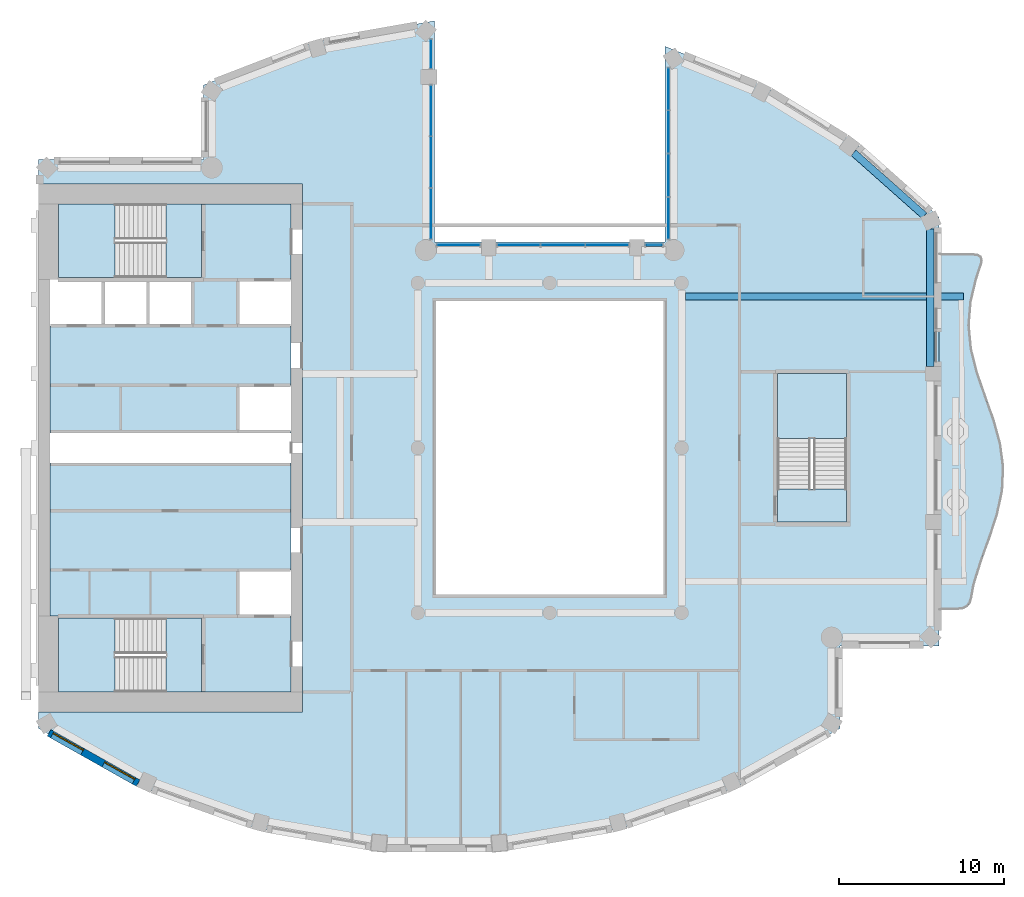
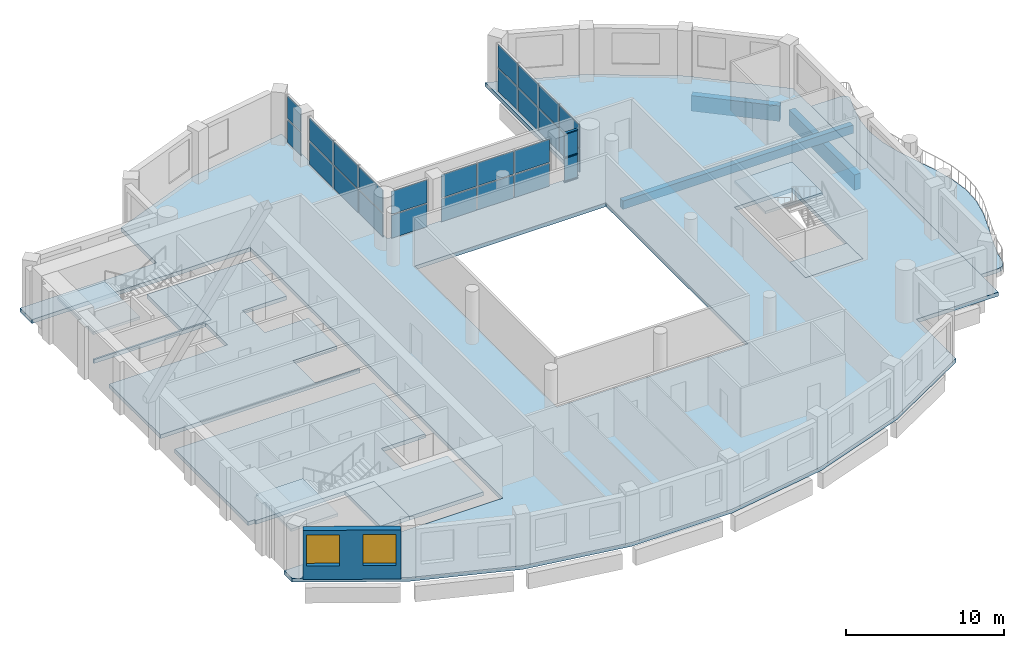
# One storey, part 3 of 15: 26 plates, 10 slabs, 3 beams, 3 members, 2 windows, 1 wall, 2 openings, 9 elements without a shape of their own.
"""IFC4 building model written with IfcOpenShell, lengths in metres."""

from ifc_helpers import new_model, si_unit, direction, frame, frame_2d, origin, origin_2d, place, context, subcontext, project, spatial, polyline, rectangle, outline, extrude, material, layer, layer_set, material_profile, profile_set, type_object, element, fill, aggregate, save


model = new_model("IFC4")

# Units and contexts
model_context = context("Model", 3, precision=1e-05, world=origin(), true_north=direction((0.0, 1.0)))
body_context = subcontext(model_context, "Body", "Model", "MODEL_VIEW")
ifc_project = project(units=[si_unit("LENGTHUNIT", "METRE"), si_unit("AREAUNIT", "SQUARE_METRE"), si_unit("VOLUMEUNIT", "CUBIC_METRE"), si_unit("PLANEANGLEUNIT", "RADIAN"), si_unit("MASSUNIT", "GRAM", prefix="KILO")], contexts=[model_context])

# Site, building, storey
site_placement = place(None, origin())
site = spatial("IfcSite", under=ifc_project, at=site_placement, CompositionType="ELEMENT")
building_placement = place(site_placement, origin())
building = spatial("IfcBuilding", under=site, at=building_placement, Name="Cypress Arch Tower", CompositionType="ELEMENT")
storey_placement = place(building_placement, frame((0.0, 0.0, 259.800048828125)))
storey = spatial("IfcBuildingStorey", under=building, at=storey_placement, Name="L58", CompositionType="ELEMENT", Elevation=259.800048828125)

# Beams
ifc_material_1 = material(Name="Concrete C50/60", Category="concrete")
ifc_material_profile_1 = material_profile(ifc_material_1, rectangle(XDim=0.39990234375, YDim=0.64990234375, at=origin_2d()), Name="RC 400x650")
ifc_profile_set_1 = profile_set([ifc_material_profile_1], Name="Concrete C50/60")
beam_type_1 = type_object("IfcBeamType", Name="Cantilever beam RC 400x650 Concrete C50/60", PredefinedType="BEAM", material=ifc_profile_set_1)
beam_1_placement = place(storey_placement, frame((9.22509765625, 9.1826171875, -0.625), z_axis=(1.0, 0.0, 0.0), x_axis=(0.0, 1.0, 0.0)))
element("IfcBeam", 1, at=beam_1_placement, inside=storey, type_object=beam_type_1, Name="Cantilever beam L58 C17 2", PredefinedType="BEAM", context=body_context, shape_type="SweptSolid", body=[
    extrude(rectangle(XDim=0.39990234375, YDim=0.64990234375, at=origin_2d()), origin(), (0.0, 0.0, 1.0), 16.86767578125),
])
ifc_material_2 = material(Name="Concrete C50/60", Category="concrete")
ifc_material_profile_2 = material_profile(ifc_material_2, rectangle(XDim=0.449951171875, YDim=1.199951171875, at=origin_2d()), Name="RC 450x1200")
ifc_profile_set_2 = profile_set([ifc_material_profile_2], Name="Concrete C50/60")
beam_type_2 = type_object("IfcBeamType", Name="Spandrel beam RC 450x1200 Concrete C50/60", PredefinedType="SPANDREL", material=ifc_profile_set_2)
beam_2_placement = place(storey_placement, frame((24.074951171875, 4.949951171875, -1.550048828125), z_axis=(0.0, 1.0, 0.0), x_axis=(-1.0, 0.0, 0.0)))
element("IfcBeam", 2, at=beam_2_placement, inside=storey, type_object=beam_type_2, Name="Spandrel beam L58 BC17-2", PredefinedType="SPANDREL", context=body_context, shape_type="SweptSolid", body=[
    extrude(rectangle(XDim=0.449951171875, YDim=1.199951171875, at=origin_2d()), origin(), (0.0, 0.0, 1.0), 8.32080078125),
])
beam_3_placement = place(storey_placement, frame((23.706298828125, 14.091796875, -1.550048828125), z_axis=(-0.747555073917, 0.664199827959, 0.0), x_axis=(-0.664199827959, -0.747555073917, 0.0)))
element("IfcBeam", 3, at=beam_3_placement, inside=storey, type_object=beam_type_2, Name="Spandrel beam L58 BC18-0", PredefinedType="SPANDREL", context=body_context, shape_type="SweptSolid", body=[
    extrude(rectangle(XDim=0.449951171875, YDim=1.199951171875, at=origin_2d()), origin(), (0.0, 0.0, 1.0), 5.72900390625),
])

# Curtain wall, members
ifc_material_3 = material(Name="Anodised aluminium, bronze finish, clear laminated double glazing", Category="aluminium")
curtain_wall_type = type_object("IfcCurtainWallType", Name="Curtain wall CW7 slot glazing", PredefinedType="NOTDEFINED", material=ifc_material_3)
curtain_wall_1_placement = place(storey_placement, origin())
curtain_wall_1 = element("IfcCurtainWall", 4, at=curtain_wall_1_placement, inside=storey, type_object=curtain_wall_type, Name="Curtain wall L58 slot C01.0", PredefinedType="NOTDEFINED")
ifc_material_4 = material(Name="Anodised aluminium, bronze finish", Category="aluminium")
ifc_material_profile_3 = material_profile(ifc_material_4, rectangle(XDim=0.179931640625, YDim=0.0849609375, at=origin_2d()), Name="Transom 85x180")
ifc_profile_set_3 = profile_set([ifc_material_profile_3], Name="Anodised aluminium, bronze finish")
member_type = type_object("IfcMemberType", Name="Transom CW7 85x180", PredefinedType="USERDEFINED", material=ifc_profile_set_3)
member_1_placement = place(storey_placement, frame((7.8134765625, 12.300048828125, 0.04248046875), z_axis=(-1.0, 0.0, 0.0), x_axis=(0.0, -1.0, 0.0)))
member_1 = element("IfcMember", 5, at=member_1_placement, type_object=member_type, Name="CW7 transom 1.1", ObjectType="TRANSOM", PredefinedType="USERDEFINED", context=body_context, shape_type="SweptSolid", body=[
    extrude(rectangle(XDim=0.179931640625, YDim=0.0849609375, at=origin_2d()), origin(), (0.0, 0.0, 1.0), 0.978515625),
])
member_2_placement = place(storey_placement, frame((7.8134765625, 12.300048828125, 1.89990234375), z_axis=(-1.0, 0.0, 0.0), x_axis=(0.0, -1.0, 0.0)))
member_2 = element("IfcMember", 6, at=member_2_placement, type_object=member_type, Name="CW7 transom 1.2", ObjectType="TRANSOM", PredefinedType="USERDEFINED", context=body_context, shape_type="SweptSolid", body=[
    extrude(rectangle(XDim=0.179931640625, YDim=0.0849609375, at=origin_2d()), origin(), (0.0, 0.0, 1.0), 0.978515625),
])
member_3_placement = place(storey_placement, frame((7.8134765625, 12.300048828125, 3.757568359375), z_axis=(-1.0, 0.0, 0.0), x_axis=(0.0, -1.0, 0.0)))
member_3 = element("IfcMember", 7, at=member_3_placement, type_object=member_type, Name="CW7 transom 1.3", ObjectType="TRANSOM", PredefinedType="USERDEFINED", context=body_context, shape_type="SweptSolid", body=[
    extrude(rectangle(XDim=0.179931640625, YDim=0.0849609375, at=origin_2d()), origin(), (0.0, 0.0, 1.0), 0.978515625),
])

# Slabs
ifc_material_5 = material(Name="Concrete C40/50", Category="concrete")
ifc_layer_1 = layer(ifc_material_5, 0.300048828125)
ifc_layer_set_1 = layer_set([ifc_layer_1], Name="Balcony slab BS300")
slab_type_1 = type_object("IfcSlabType", Name="Balcony slab BS300", PredefinedType="USERDEFINED", material=ifc_layer_set_1)
slab_1_placement = place(storey_placement, frame((0.0, 0.0, -0.300048828125)))
element("IfcSlab", 8, at=slab_1_placement, inside=storey, type_object=slab_type_1, Name="Balcony slab L58-C17", ObjectType="BALCONY SLAB", PredefinedType="USERDEFINED", context=body_context, shape_type="SweptSolid", body=[
    extrude(outline(polyline([(24.60009765625, -9.75), (25.78076171875, -9.75), (26.074462890625, -9.709716796875), (26.300537109375, -9.5888671875), (26.459228515625, -9.38720703125), (26.55029296875, -9.10498046875), (26.6904296875, -8.316650390625), (27.13134765625, -6.88330078125), (27.650390625, -5.449951171875), (28.1201171875, -4.0166015625), (28.42578125, -2.583251953125), (28.4921875, -1.14990234375), (28.302978515625, 0.283447265625), (27.90478515625, 1.716552734375), (27.39501953125, 3.14990234375), (26.898681640625, 4.583251953125), (26.53759765625, 6.0166015625), (26.400146484375, 7.449951171875), (26.52001953125, 8.88330078125), (26.867919921875, 10.316650390625), (27.1376953125, 11.10498046875), (27.191650390625, 11.38720703125), (27.1328125, 11.5888671875), (26.961181640625, 11.709716796875), (26.6767578125, 11.75), (24.60009765625, 11.75), (24.60009765625, -9.75)])), origin(), (0.0, 0.0, 1.0), 0.300048828125),
])
ifc_material_6 = material(Name="Concrete C40/50", Category="concrete")
ifc_layer_2 = layer(ifc_material_6, 0.300048828125)
ifc_layer_set_2 = layer_set([ifc_layer_2], Name="Core floor CF300")
slab_type_2 = type_object("IfcSlabType", Name="Core floor CF300", PredefinedType="FLOOR", material=ifc_layer_set_2)
slab_2_placement = place(storey_placement, frame((0.0, 0.0, -0.300048828125)))
element("IfcSlab", 9, at=slab_2_placement, inside=storey, type_object=slab_type_2, Name="Core floor", PredefinedType="FLOOR", context=body_context, shape_type="SweptSolid", body=[
    extrude(outline(polyline([(-28.89990234375, -10.199951171875), (-29.300048828125, -10.199951171875), (-29.300048828125, -0.89990234375), (-28.89990234375, -0.89990234375), (-15.10009765625, -0.89990234375), (-14.699951171875, -0.89990234375), (-14.699951171875, -7.39990234375), (-15.10009765625, -7.39990234375), (-17.919921875, -7.39990234375), (-17.919921875, -10.199951171875), (-15.10009765625, -10.199951171875), (-14.699951171875, -10.199951171875), (-14.699951171875, -14.800048828125), (-15.10009765625, -14.800048828125), (-20.125, -14.800048828125), (-20.125, -10.324951171875), (-22.27490234375, -10.324951171875), (-28.800048828125, -10.324951171875), (-28.800048828125, -10.199951171875), (-28.89990234375, -10.199951171875)])), origin(), (0.0, 0.0, 1.0), 0.300048828125),
])
slab_3_placement = place(storey_placement, frame((0.0, 0.0, -0.300048828125)))
element("IfcSlab", 10, at=slab_3_placement, inside=storey, type_object=slab_type_2, Name="Core floor", PredefinedType="FLOOR", context=body_context, shape_type="SweptSolid", body=[
    extrude(outline(polyline([(-22.27490234375, -10.324951171875), (-22.27490234375, -14.800048828125), (-20.125, -14.800048828125), (-20.125, -10.324951171875), (-22.27490234375, -10.324951171875)])), origin(), (0.0, 0.0, 1.0), 0.300048828125),
])
slab_4_placement = place(storey_placement, frame((0.0, 0.0, -0.300048828125)))
element("IfcSlab", 11, at=slab_4_placement, inside=storey, type_object=slab_type_2, Name="Core floor", PredefinedType="FLOOR", context=body_context, shape_type="SweptSolid", body=[
    extrude(outline(polyline([(-20.125, 14.800048828125), (-22.27490234375, 14.800048828125), (-22.27490234375, 10.324951171875), (-20.125, 10.324951171875), (-20.125, 14.800048828125)])), origin(), (0.0, 0.0, 1.0), 0.300048828125),
])
slab_5_placement = place(storey_placement, frame((0.0, 0.0, -0.300048828125)))
element("IfcSlab", 12, at=slab_5_placement, inside=storey, type_object=slab_type_2, Name="Stair floor landing", PredefinedType="FLOOR", context=body_context, shape_type="SweptSolid", body=[
    extrude(outline(polyline([(19.0, -4.5), (19.0, -2.5), (14.800048828125, -2.5), (14.800048828125, -4.5), (19.0, -4.5)])), origin(), (0.0, 0.0, 1.0), 0.300048828125),
])
slab_6_placement = place(storey_placement, frame((0.0, 0.0, -0.300048828125)))
element("IfcSlab", 13, at=slab_6_placement, inside=storey, type_object=slab_type_2, Name="Core floor", PredefinedType="FLOOR", context=body_context, shape_type="SweptSolid", body=[
    extrude(outline(polyline([(-20.639892578125, 10.199951171875), (-23.360107421875, 10.199951171875), (-26.080078125, 10.199951171875), (-28.800048828125, 10.199951171875), (-28.800048828125, 10.324951171875), (-22.27490234375, 10.324951171875), (-20.125, 10.324951171875), (-20.125, 14.800048828125), (-15.10009765625, 14.800048828125), (-14.699951171875, 14.800048828125), (-14.699951171875, 10.199951171875), (-15.10009765625, 10.199951171875), (-17.919921875, 10.199951171875), (-17.919921875, 7.39990234375), (-15.10009765625, 7.39990234375), (-14.699951171875, 7.39990234375), (-14.699951171875, 3.800048828125), (-15.10009765625, 3.800048828125), (-17.919921875, 3.800048828125), (-17.919921875, 1.5), (-17.919921875, 1.0), (-17.5, 1.0), (-15.10009765625, 1.0), (-14.699951171875, 1.0), (-14.699951171875, 0.89990234375), (-15.10009765625, 0.89990234375), (-17.5, 0.89990234375), (-18.300048828125, 0.89990234375), (-28.89990234375, 0.89990234375), (-29.300048828125, 0.89990234375), (-29.300048828125, 1.5), (-29.300048828125, 7.39990234375), (-28.89990234375, 7.39990234375), (-26.080078125, 7.39990234375), (-23.360107421875, 7.39990234375), (-20.639892578125, 7.39990234375), (-20.639892578125, 10.199951171875)])), origin(), (0.0, 0.0, 1.0), 0.300048828125),
])

# Curtain wall, plates
curtain_wall_2_placement = place(storey_placement, origin())
curtain_wall_2 = element("IfcCurtainWall", 14, at=curtain_wall_2_placement, inside=storey, type_object=curtain_wall_type, Name="Curtain wall L58 slot C00.0", PredefinedType="NOTDEFINED")
ifc_material_7 = material(Name="Clear laminated double glazing", Category="glass")
ifc_layer_3 = layer(ifc_material_7, 0.0439453125)
ifc_layer_set_3 = layer_set([ifc_layer_3], Name="Glass panel CW7 44")
plate_type = type_object("IfcPlateType", Name="Glass panel CW7 44", PredefinedType="CURTAIN_PANEL", material=ifc_layer_set_3)
plate_1_placement = place(storey_placement, frame((8.199951171875, 21.768798828125, 0.0849609375), z_axis=(0.0, 0.0, 1.0), x_axis=(0.0, -1.0, 0.0)))
plate_1 = element("IfcPlate", 15, at=plate_1_placement, type_object=plate_type, Name="CW7 panel 1.1", PredefinedType="CURTAIN_PANEL", context=body_context, shape_type="SweptSolid", body=[
    extrude(rectangle(XDim=2.497802734375, YDim=0.0439453125, at=origin_2d()), origin(), (0.0, 0.0, 1.0), 1.7724609375),
])
plate_2_placement = place(storey_placement, frame((8.199951171875, 21.768798828125, 1.9423828125), z_axis=(0.0, 0.0, 1.0), x_axis=(0.0, -1.0, 0.0)))
plate_2 = element("IfcPlate", 16, at=plate_2_placement, type_object=plate_type, Name="CW7 panel 1.2", PredefinedType="CURTAIN_PANEL", context=body_context, shape_type="SweptSolid", body=[
    extrude(rectangle(XDim=2.497802734375, YDim=0.0439453125, at=origin_2d()), origin(), (0.0, 0.0, 1.0), 1.7724609375),
])
plate_3_placement = place(storey_placement, frame((8.199951171875, 19.164794921875, 0.0849609375), z_axis=(0.0, 0.0, 1.0), x_axis=(0.0, -1.0, 0.0)))
plate_3 = element("IfcPlate", 17, at=plate_3_placement, type_object=plate_type, Name="CW7 panel 2.1", PredefinedType="CURTAIN_PANEL", context=body_context, shape_type="SweptSolid", body=[
    extrude(rectangle(XDim=2.540283203125, YDim=0.0439453125, at=origin_2d()), origin(), (0.0, 0.0, 1.0), 1.7724609375),
])
plate_4_placement = place(storey_placement, frame((8.199951171875, 19.164794921875, 1.9423828125), z_axis=(0.0, 0.0, 1.0), x_axis=(0.0, -1.0, 0.0)))
plate_4 = element("IfcPlate", 18, at=plate_4_placement, type_object=plate_type, Name="CW7 panel 2.2", PredefinedType="CURTAIN_PANEL", context=body_context, shape_type="SweptSolid", body=[
    extrude(rectangle(XDim=2.540283203125, YDim=0.0439453125, at=origin_2d()), origin(), (0.0, 0.0, 1.0), 1.7724609375),
])
plate_5_placement = place(storey_placement, frame((8.199951171875, 16.53955078125, 0.0849609375), z_axis=(0.0, 0.0, 1.0), x_axis=(0.0, -1.0, 0.0)))
plate_5 = element("IfcPlate", 19, at=plate_5_placement, type_object=plate_type, Name="CW7 panel 3.1", PredefinedType="CURTAIN_PANEL", context=body_context, shape_type="SweptSolid", body=[
    extrude(rectangle(XDim=2.540283203125, YDim=0.0439453125, at=origin_2d()), origin(), (0.0, 0.0, 1.0), 1.7724609375),
])
plate_6_placement = place(storey_placement, frame((8.199951171875, 16.53955078125, 1.9423828125), z_axis=(0.0, 0.0, 1.0), x_axis=(0.0, -1.0, 0.0)))
plate_6 = element("IfcPlate", 20, at=plate_6_placement, type_object=plate_type, Name="CW7 panel 3.2", PredefinedType="CURTAIN_PANEL", context=body_context, shape_type="SweptSolid", body=[
    extrude(rectangle(XDim=2.540283203125, YDim=0.0439453125, at=origin_2d()), origin(), (0.0, 0.0, 1.0), 1.7724609375),
])
plate_7_placement = place(storey_placement, frame((8.199951171875, 13.935302734375, 0.0849609375), z_axis=(0.0, 0.0, 1.0), x_axis=(0.0, -1.0, 0.0)))
plate_7 = element("IfcPlate", 21, at=plate_7_placement, type_object=plate_type, Name="CW7 panel 4.1", PredefinedType="CURTAIN_PANEL", context=body_context, shape_type="SweptSolid", body=[
    extrude(rectangle(XDim=2.497802734375, YDim=0.0439453125, at=origin_2d()), origin(), (0.0, 0.0, 1.0), 1.7724609375),
])
plate_8_placement = place(storey_placement, frame((8.199951171875, 13.935302734375, 1.9423828125), z_axis=(0.0, 0.0, 1.0), x_axis=(0.0, -1.0, 0.0)))
plate_8 = element("IfcPlate", 22, at=plate_8_placement, type_object=plate_type, Name="CW7 panel 4.2", PredefinedType="CURTAIN_PANEL", context=body_context, shape_type="SweptSolid", body=[
    extrude(rectangle(XDim=2.497802734375, YDim=0.0439453125, at=origin_2d()), origin(), (0.0, 0.0, 1.0), 1.7724609375),
])
aggregate(curtain_wall_2, [plate_1, plate_2, plate_3, plate_4, plate_5, plate_6, plate_7, plate_8])

# Plate
plate_9_placement = place(storey_placement, frame((7.32421875, 12.300048828125, 0.0849609375), z_axis=(0.0, 0.0, 1.0), x_axis=(-1.0, 0.0, 0.0)))
plate_9 = element("IfcPlate", 23, at=plate_9_placement, type_object=plate_type, Name="CW7 panel 1.1", PredefinedType="CURTAIN_PANEL", context=body_context, shape_type="SweptSolid", body=[
    extrude(rectangle(XDim=0.978515625, YDim=0.0439453125, at=origin_2d()), origin(), (0.0, 0.0, 1.0), 1.7724609375),
])

plate_10_placement = place(storey_placement, frame((7.32421875, 12.300048828125, 1.9423828125), z_axis=(0.0, 0.0, 1.0), x_axis=(-1.0, 0.0, 0.0)))
plate_10 = element("IfcPlate", 24, at=plate_10_placement, type_object=plate_type, Name="CW7 panel 1.2", PredefinedType="CURTAIN_PANEL", context=body_context, shape_type="SweptSolid", body=[
    extrude(rectangle(XDim=0.978515625, YDim=0.0439453125, at=origin_2d()), origin(), (0.0, 0.0, 1.0), 1.7724609375),
])

aggregate(curtain_wall_1, [member_1, member_2, member_3, plate_9, plate_10])

# Curtain wall, plates
curtain_wall_3_placement = place(storey_placement, origin())
curtain_wall_3 = element("IfcCurtainWall", 25, at=curtain_wall_3_placement, inside=storey, type_object=curtain_wall_type, Name="Curtain wall L58 slot C01.1", PredefinedType="NOTDEFINED")
plate_11_placement = place(storey_placement, frame((4.478759765625, 12.300048828125, 0.0849609375), z_axis=(0.0, 0.0, 1.0), x_axis=(-1.0, 0.0, 0.0)))
plate_11 = element("IfcPlate", 26, at=plate_11_placement, type_object=plate_type, Name="CW7 panel 1.1", PredefinedType="CURTAIN_PANEL", context=body_context, shape_type="SweptSolid", body=[
    extrude(rectangle(XDim=2.572509765625, YDim=0.0439453125, at=origin_2d()), origin(), (0.0, 0.0, 1.0), 1.7724609375),
])
plate_12_placement = place(storey_placement, frame((4.478759765625, 12.300048828125, 1.9423828125), z_axis=(0.0, 0.0, 1.0), x_axis=(-1.0, 0.0, 0.0)))
plate_12 = element("IfcPlate", 27, at=plate_12_placement, type_object=plate_type, Name="CW7 panel 1.2", PredefinedType="CURTAIN_PANEL", context=body_context, shape_type="SweptSolid", body=[
    extrude(rectangle(XDim=2.572509765625, YDim=0.0439453125, at=origin_2d()), origin(), (0.0, 0.0, 1.0), 1.7724609375),
])
plate_13_placement = place(storey_placement, frame((1.800048828125, 12.300048828125, 0.0849609375), z_axis=(0.0, 0.0, 1.0), x_axis=(-1.0, 0.0, 0.0)))
plate_13 = element("IfcPlate", 28, at=plate_13_placement, type_object=plate_type, Name="CW7 panel 2.1", PredefinedType="CURTAIN_PANEL", context=body_context, shape_type="SweptSolid", body=[
    extrude(rectangle(XDim=2.614990234375, YDim=0.0439453125, at=origin_2d()), origin(), (0.0, 0.0, 1.0), 1.7724609375),
])
plate_14_placement = place(storey_placement, frame((1.800048828125, 12.300048828125, 1.9423828125), z_axis=(0.0, 0.0, 1.0), x_axis=(-1.0, 0.0, 0.0)))
plate_14 = element("IfcPlate", 29, at=plate_14_placement, type_object=plate_type, Name="CW7 panel 2.2", PredefinedType="CURTAIN_PANEL", context=body_context, shape_type="SweptSolid", body=[
    extrude(rectangle(XDim=2.614990234375, YDim=0.0439453125, at=origin_2d()), origin(), (0.0, 0.0, 1.0), 1.7724609375),
])
plate_15_placement = place(storey_placement, frame((-0.878662109375, 12.300048828125, 0.0849609375), z_axis=(0.0, 0.0, 1.0), x_axis=(-1.0, 0.0, 0.0)))
plate_15 = element("IfcPlate", 30, at=plate_15_placement, type_object=plate_type, Name="CW7 panel 3.1", PredefinedType="CURTAIN_PANEL", context=body_context, shape_type="SweptSolid", body=[
    extrude(rectangle(XDim=2.572509765625, YDim=0.0439453125, at=origin_2d()), origin(), (0.0, 0.0, 1.0), 1.7724609375),
])
plate_16_placement = place(storey_placement, frame((-0.878662109375, 12.300048828125, 1.9423828125), z_axis=(0.0, 0.0, 1.0), x_axis=(-1.0, 0.0, 0.0)))
plate_16 = element("IfcPlate", 31, at=plate_16_placement, type_object=plate_type, Name="CW7 panel 3.2", PredefinedType="CURTAIN_PANEL", context=body_context, shape_type="SweptSolid", body=[
    extrude(rectangle(XDim=2.572509765625, YDim=0.0439453125, at=origin_2d()), origin(), (0.0, 0.0, 1.0), 1.7724609375),
])
aggregate(curtain_wall_3, [plate_11, plate_12, plate_13, plate_14, plate_15, plate_16])

curtain_wall_4_placement = place(storey_placement, origin())
curtain_wall_4 = element("IfcCurtainWall", 32, at=curtain_wall_4_placement, inside=storey, type_object=curtain_wall_type, Name="Curtain wall L58 slot C01.2", PredefinedType="NOTDEFINED")
plate_17_placement = place(storey_placement, frame((-4.524169921875, 12.300048828125, 0.0849609375), z_axis=(0.0, 0.0, 1.0), x_axis=(-1.0, 0.0, 0.0)))
plate_17 = element("IfcPlate", 33, at=plate_17_placement, type_object=plate_type, Name="CW7 panel 1.1", PredefinedType="CURTAIN_PANEL", context=body_context, shape_type="SweptSolid", body=[
    extrude(rectangle(XDim=2.57861328125, YDim=0.0439453125, at=origin_2d()), origin(), (0.0, 0.0, 1.0), 1.7724609375),
])
plate_18_placement = place(storey_placement, frame((-4.524169921875, 12.300048828125, 1.9423828125), z_axis=(0.0, 0.0, 1.0), x_axis=(-1.0, 0.0, 0.0)))
plate_18 = element("IfcPlate", 34, at=plate_18_placement, type_object=plate_type, Name="CW7 panel 1.2", PredefinedType="CURTAIN_PANEL", context=body_context, shape_type="SweptSolid", body=[
    extrude(rectangle(XDim=2.57861328125, YDim=0.0439453125, at=origin_2d()), origin(), (0.0, 0.0, 1.0), 1.7724609375),
])
aggregate(curtain_wall_4, [plate_17, plate_18])

curtain_wall_5_placement = place(storey_placement, origin())
curtain_wall_5 = element("IfcCurtainWall", 35, at=curtain_wall_5_placement, inside=storey, type_object=curtain_wall_type, Name="Curtain wall L58 slot C02.0", PredefinedType="NOTDEFINED")
plate_19_placement = place(storey_placement, frame((-6.199951171875, 14.197509765625, 0.0849609375), z_axis=(0.0, 0.0, 1.0), x_axis=(0.0, 1.0, 0.0)))
plate_19 = element("IfcPlate", 36, at=plate_19_placement, type_object=plate_type, Name="CW7 panel 1.1", PredefinedType="CURTAIN_PANEL", context=body_context, shape_type="SweptSolid", body=[
    extrude(rectangle(XDim=3.02197265625, YDim=0.0439453125, at=origin_2d()), origin(), (0.0, 0.0, 1.0), 1.7724609375),
])
plate_20_placement = place(storey_placement, frame((-6.199951171875, 14.197509765625, 1.9423828125), z_axis=(0.0, 0.0, 1.0), x_axis=(0.0, 1.0, 0.0)))
plate_20 = element("IfcPlate", 37, at=plate_20_placement, type_object=plate_type, Name="CW7 panel 1.2", PredefinedType="CURTAIN_PANEL", context=body_context, shape_type="SweptSolid", body=[
    extrude(rectangle(XDim=3.02197265625, YDim=0.0439453125, at=origin_2d()), origin(), (0.0, 0.0, 1.0), 1.7724609375),
])
plate_21_placement = place(storey_placement, frame((-6.199951171875, 17.32568359375, 0.0849609375), z_axis=(0.0, 0.0, 1.0), x_axis=(0.0, 1.0, 0.0)))
plate_21 = element("IfcPlate", 38, at=plate_21_placement, type_object=plate_type, Name="CW7 panel 2.1", PredefinedType="CURTAIN_PANEL", context=body_context, shape_type="SweptSolid", body=[
    extrude(rectangle(XDim=3.064453125, YDim=0.0439453125, at=origin_2d()), origin(), (0.0, 0.0, 1.0), 1.7724609375),
])
plate_22_placement = place(storey_placement, frame((-6.199951171875, 17.32568359375, 1.9423828125), z_axis=(0.0, 0.0, 1.0), x_axis=(0.0, 1.0, 0.0)))
plate_22 = element("IfcPlate", 39, at=plate_22_placement, type_object=plate_type, Name="CW7 panel 2.2", PredefinedType="CURTAIN_PANEL", context=body_context, shape_type="SweptSolid", body=[
    extrude(rectangle(XDim=3.064453125, YDim=0.0439453125, at=origin_2d()), origin(), (0.0, 0.0, 1.0), 1.7724609375),
])
plate_23_placement = place(storey_placement, frame((-6.199951171875, 20.4541015625, 0.0849609375), z_axis=(0.0, 0.0, 1.0), x_axis=(0.0, 1.0, 0.0)))
plate_23 = element("IfcPlate", 40, at=plate_23_placement, type_object=plate_type, Name="CW7 panel 3.1", PredefinedType="CURTAIN_PANEL", context=body_context, shape_type="SweptSolid", body=[
    extrude(rectangle(XDim=3.02197265625, YDim=0.0439453125, at=origin_2d()), origin(), (0.0, 0.0, 1.0), 1.7724609375),
])
plate_24_placement = place(storey_placement, frame((-6.199951171875, 20.4541015625, 1.9423828125), z_axis=(0.0, 0.0, 1.0), x_axis=(0.0, 1.0, 0.0)))
plate_24 = element("IfcPlate", 41, at=plate_24_placement, type_object=plate_type, Name="CW7 panel 3.2", PredefinedType="CURTAIN_PANEL", context=body_context, shape_type="SweptSolid", body=[
    extrude(rectangle(XDim=3.02197265625, YDim=0.0439453125, at=origin_2d()), origin(), (0.0, 0.0, 1.0), 1.7724609375),
])
aggregate(curtain_wall_5, [plate_19, plate_20, plate_21, plate_22, plate_23, plate_24])

curtain_wall_6_placement = place(storey_placement, origin())
curtain_wall_6 = element("IfcCurtainWall", 42, at=curtain_wall_6_placement, inside=storey, type_object=curtain_wall_type, Name="Curtain wall L58 slot C02.1", PredefinedType="NOTDEFINED")
plate_25_placement = place(storey_placement, frame((-6.199951171875, 23.89111328125, 0.0849609375), z_axis=(0.0, 0.0, 1.0), x_axis=(0.0, 1.0, 0.0)))
plate_25 = element("IfcPlate", 43, at=plate_25_placement, type_object=plate_type, Name="CW7 panel 1.1", PredefinedType="CURTAIN_PANEL", context=body_context, shape_type="SweptSolid", body=[
    extrude(rectangle(XDim=1.71240234375, YDim=0.0439453125, at=origin_2d()), origin(), (0.0, 0.0, 1.0), 1.7724609375),
])
plate_26_placement = place(storey_placement, frame((-6.199951171875, 23.89111328125, 1.9423828125), z_axis=(0.0, 0.0, 1.0), x_axis=(0.0, 1.0, 0.0)))
plate_26 = element("IfcPlate", 44, at=plate_26_placement, type_object=plate_type, Name="CW7 panel 1.2", PredefinedType="CURTAIN_PANEL", context=body_context, shape_type="SweptSolid", body=[
    extrude(rectangle(XDim=1.71240234375, YDim=0.0439453125, at=origin_2d()), origin(), (0.0, 0.0, 1.0), 1.7724609375),
])
aggregate(curtain_wall_6, [plate_25, plate_26])

# Slab
ifc_material_8 = material(Name="Concrete C40/50", Category="concrete")
ifc_layer_4 = layer(ifc_material_8, 0.300048828125)
ifc_layer_set_4 = layer_set([ifc_layer_4], Name="PT flat slab 300 Concrete C40/50")
slab_type_3 = type_object("IfcSlabType", Name="PT flat slab 300 Concrete C40/50", PredefinedType="FLOOR", material=ifc_layer_set_4)
slab_7_placement = place(storey_placement, frame((0.0, 0.0, -0.300048828125)))
element("IfcSlab", 45, at=slab_7_placement, inside=storey, type_object=slab_type_3, Name="Floor slab L58", PredefinedType="FLOOR", context=body_context, shape_type="SweptSolid", body=[
    extrude(outline(polyline([(-30.0, 17.5), (-20.0, 17.5), (-20.0, 22.0), (-13.199951171875, 24.6201171875), (-6.0, 25.889892578125), (-6.0, 12.5), (8.0, 12.5), (8.0, 24.35009765625), (14.0, 21.93994140625), (19.39990234375, 18.6201171875), (24.60009765625, 14.0), (24.60009765625, -12.0), (18.60009765625, -12.0), (18.60009765625, -17.0), (12.179931640625, -20.6201171875), (5.239990234375, -23.090087890625), (-2.02001953125, -24.340087890625), (-9.3798828125, -24.340087890625), (-16.639892578125, -23.090087890625), (-23.580078125, -20.6201171875), (-30.0, -17.0), (-30.0, -16.0), (-14.0, -16.0), (-14.0, 16.0), (-30.0, 16.0), (-30.0, 17.5)]), holes=[polyline([(-6.0, -9.0), (8.0, -9.0), (8.0, 9.0), (-6.0, 9.0), (-6.0, -9.0)]), polyline([(14.800048828125, -4.5), (19.0, -4.5), (19.0, 4.5), (14.800048828125, 4.5), (14.800048828125, -4.5)])]), origin(), (0.0, 0.0, 1.0), 0.300048828125),
])

# Stair, slab
ifc_material_9 = material(Name="Concrete C40/50", Category="concrete")
stair_type_1 = type_object("IfcStairType", Name="Exit stair ES1708-215", PredefinedType="HALF_TURN_STAIR", material=ifc_material_9)
stair_1_placement = place(storey_placement, origin())
stair_1 = element("IfcStair", 46, at=stair_1_placement, inside=storey, type_object=stair_type_1, Name="L58 Exit stair A", PredefinedType="HALF_TURN_STAIR")
ifc_material_10 = material(Name="Concrete C40/50", Category="concrete")
ifc_layer_5 = layer(ifc_material_10, 0.199951171875)
ifc_layer_set_5 = layer_set([ifc_layer_5], Name="Stair landing SL200")
slab_type_4 = type_object("IfcSlabType", Name="Stair landing SL200", PredefinedType="LANDING", material=ifc_layer_set_5)
slab_8_placement = place(storey_placement, frame((0.0, 0.0, 1.849853515625)))
slab_8 = element("IfcSlab", 47, at=slab_8_placement, type_object=slab_type_4, Name="A landing 1", PredefinedType="LANDING", context=body_context, shape_type="SweptSolid", body=[
    extrude(outline(polyline([(-25.35498046875, -10.324951171875), (-28.800048828125, -10.324951171875), (-28.800048828125, -14.800048828125), (-25.35498046875, -14.800048828125), (-25.35498046875, -10.324951171875)])), origin(), (0.0, 0.0, 1.0), 0.2001953125),
])
aggregate(stair_1, [slab_8])

stair_2_placement = place(storey_placement, origin())
stair_2 = element("IfcStair", 48, at=stair_2_placement, inside=storey, type_object=stair_type_1, Name="L58 Exit stair B", PredefinedType="HALF_TURN_STAIR")
slab_9_placement = place(storey_placement, frame((0.0, 0.0, 1.849853515625)))
slab_9 = element("IfcSlab", 49, at=slab_9_placement, type_object=slab_type_4, Name="B landing 1", PredefinedType="LANDING", context=body_context, shape_type="SweptSolid", body=[
    extrude(outline(polyline([(-25.35498046875, 14.800048828125), (-28.800048828125, 14.800048828125), (-28.800048828125, 10.324951171875), (-25.35498046875, 10.324951171875), (-25.35498046875, 14.800048828125)])), origin(), (0.0, 0.0, 1.0), 0.2001953125),
])
aggregate(stair_2, [slab_9])

ifc_material_11 = material(Name="Concrete C40/50", Category="concrete")
stair_type_2 = type_object("IfcStairType", Name="Exit stair ES1708-200", PredefinedType="HALF_TURN_STAIR", material=ifc_material_11)
stair_3_placement = place(storey_placement, origin())
stair_3 = element("IfcStair", 50, at=stair_3_placement, inside=storey, type_object=stair_type_2, Name="L58 Exit stair C", PredefinedType="HALF_TURN_STAIR")
slab_10_placement = place(storey_placement, frame((0.0, 0.0, 1.849853515625)))
slab_10 = element("IfcSlab", 51, at=slab_10_placement, type_object=slab_type_4, Name="C landing 1", PredefinedType="LANDING", context=body_context, shape_type="SweptSolid", body=[
    extrude(outline(polyline([(19.0, 0.580078125), (19.0, 4.5), (14.800048828125, 4.5), (14.800048828125, 0.580078125), (19.0, 0.580078125)])), origin(), (0.0, 0.0, 1.0), 0.2001953125),
])
aggregate(stair_3, [slab_10])

# Wall, openings, windows
ifc_material_12 = material(Name="Brick (red buff blend)", Category="masonry")
ifc_layer_6 = layer(ifc_material_12, 0.449951171875)
ifc_layer_set_6 = layer_set([ifc_layer_6], Name="Brick pier and spandrel wall BW450")
wall_type = type_object("IfcWallType", Name="Brick pier and spandrel wall BW450", PredefinedType="SOLIDWALL", material=ifc_layer_set_6)
wall_placement = place(storey_placement, frame((-29.3564453125, -17.276611328125, 0.0), z_axis=(0.0, 0.0, 1.0), x_axis=(0.871065783524, -0.491166367714, 0.0)))
wall = element("IfcWall", 52, at=wall_placement, inside=storey, type_object=wall_type, Name="Brick wall L58 C08.0", PredefinedType="SOLIDWALL", context=body_context, shape_type="SweptSolid", body=[
    extrude(rectangle(XDim=6.1962890625, YDim=0.449951171875, at=frame_2d((3.09814453125, 0.0))), origin(), (0.0, 0.0, 1.0), 3.800048828125),
])
opening_1_placement = place(wall_placement, frame((0.22119140625, 0.0, 1.050048828125)))
opening_1 = element("IfcOpeningElement", 53, at=opening_1_placement, cuts=wall, Name="Opening W210O", PredefinedType="OPENING", context=body_context, shape_type="SweptSolid", body=[
    extrude(rectangle(XDim=2.10009765625, YDim=2.39990234375, at=frame_2d((1.050048828125, 1.199951171875))), frame((0.0, 0.23486328125, 0.0), z_axis=(0.0, -1.0, 0.0), x_axis=(1.0, 0.0, 0.0)), (0.0, 0.0, 1.0), 0.469970703125),
])
opening_2_placement = place(wall_placement, frame((3.8056640625, 0.0, 1.050048828125)))
opening_2 = element("IfcOpeningElement", 54, at=opening_2_placement, cuts=wall, Name="Opening W210O", PredefinedType="OPENING", context=body_context, shape_type="SweptSolid", body=[
    extrude(rectangle(XDim=2.10009765625, YDim=2.39990234375, at=frame_2d((1.050048828125, 1.199951171875))), frame((0.0, 0.23486328125, 0.0), z_axis=(0.0, -1.0, 0.0), x_axis=(1.0, 0.0, 0.0)), (0.0, 0.0, 1.0), 0.469970703125),
])
ifc_material_13 = material(Name="Anodised aluminium, bronze finish, clear low-emissivity double glazing", Category="aluminium")
window_type = type_object("IfcWindowType", Name="Window Office 2100x2400", PartitioningType="SINGLE_PANEL", PredefinedType="WINDOW", material=ifc_material_13)
window_1_placement = place(opening_1_placement, origin())
window_1 = element("IfcWindow", 55, at=window_1_placement, inside=storey, type_object=window_type, Name="Window L58 C08.0.1", OverallHeight=2.39990234375, OverallWidth=2.10009765625, PartitioningType="SINGLE_PANEL", PredefinedType="WINDOW", context=body_context, shape_type="SweptSolid", body=[
    extrude(rectangle(XDim=2.10009765625, YDim=2.39990234375, at=frame_2d((1.050048828125, 1.199951171875))), frame((0.0, 0.135009765625, 0.0), z_axis=(0.0, -1.0, 0.0), x_axis=(1.0, 0.0, 0.0)), (0.0, 0.0, 1.0), 0.06005859375),
])
fill(opening_1, window_1)
window_2_placement = place(opening_2_placement, origin())
window_2 = element("IfcWindow", 56, at=window_2_placement, inside=storey, type_object=window_type, Name="Window L58 C08.0.2", OverallHeight=2.39990234375, OverallWidth=2.10009765625, PartitioningType="SINGLE_PANEL", PredefinedType="WINDOW", context=body_context, shape_type="SweptSolid", body=[
    extrude(rectangle(XDim=2.10009765625, YDim=2.39990234375, at=frame_2d((1.050048828125, 1.199951171875))), frame((0.0, 0.135009765625, 0.0), z_axis=(0.0, -1.0, 0.0), x_axis=(1.0, 0.0, 0.0)), (0.0, 0.0, 1.0), 0.06005859375),
])
fill(opening_2, window_2)

save(model, "model.ifc")
